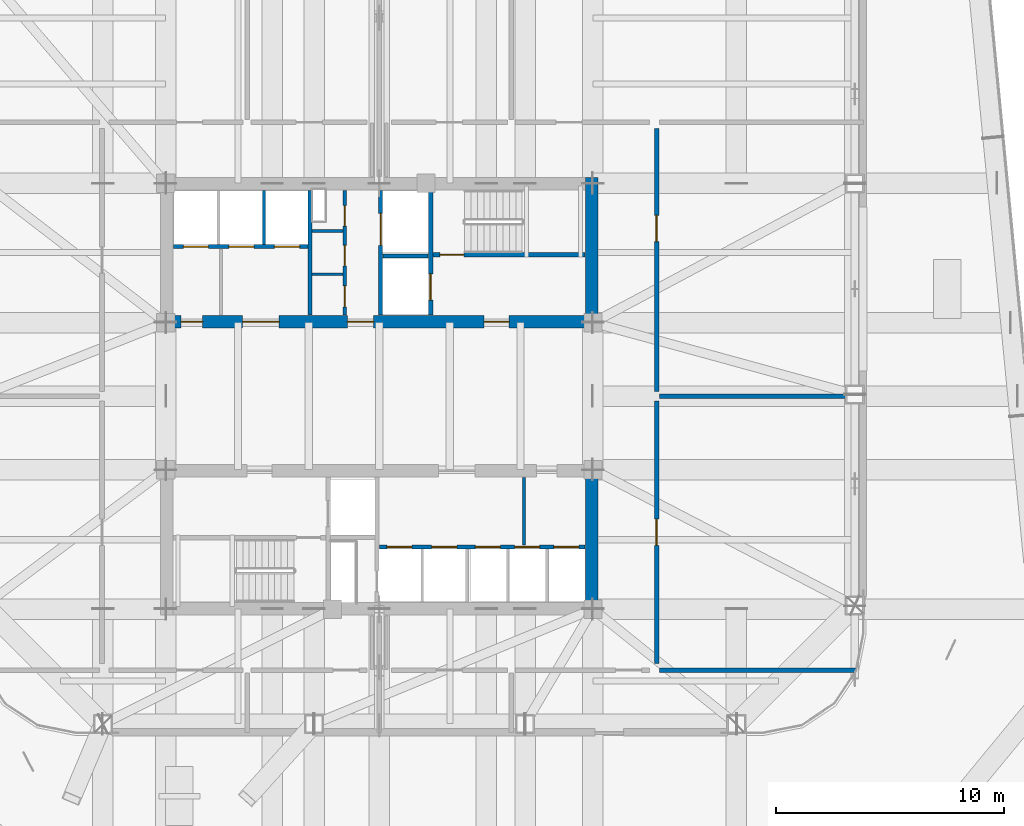
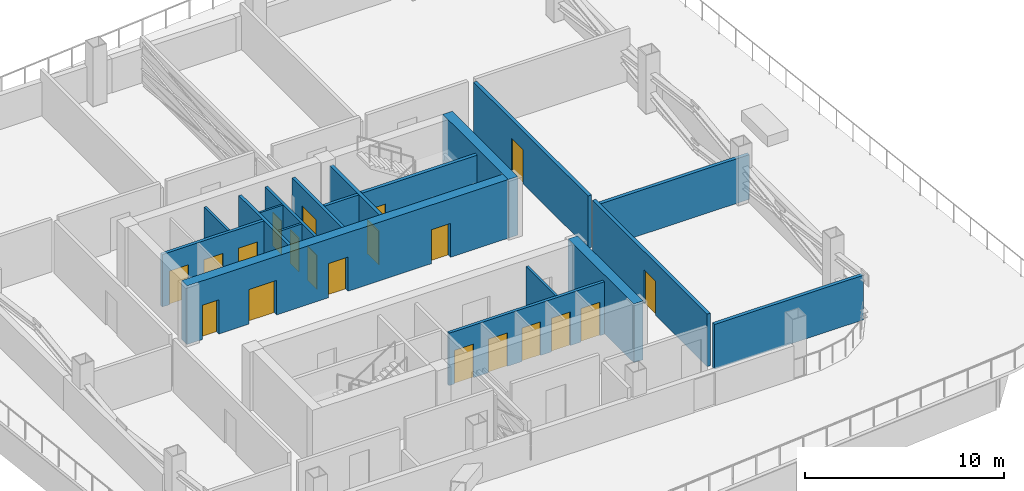
# One storey, part 9 of 15: 20 doors, 19 walls, 20 openings.
"""IFC4 building model written with IfcOpenShell, lengths in metres."""

from ifc_helpers import new_model, si_unit, direction, frame, frame_2d, origin, place, context, subcontext, project, spatial, rectangle, extrude, material, layer, layer_set, type_object, element, fill, save


model = new_model("IFC4")

# Units and contexts
model_context = context("Model", 3, precision=1e-05, world=origin(), true_north=direction((0.0, 1.0)))
body_context = subcontext(model_context, "Body", "Model", "MODEL_VIEW")
ifc_project = project(units=[si_unit("LENGTHUNIT", "METRE"), si_unit("AREAUNIT", "SQUARE_METRE"), si_unit("VOLUMEUNIT", "CUBIC_METRE"), si_unit("PLANEANGLEUNIT", "RADIAN"), si_unit("MASSUNIT", "GRAM", prefix="KILO")], contexts=[model_context])

# Site, building, storey
site_placement = place(None, origin())
site = spatial("IfcSite", under=ifc_project, at=site_placement, CompositionType="ELEMENT")
building_placement = place(site_placement, origin())
building = spatial("IfcBuilding", under=site, at=building_placement, Name="Qhalaya Broadcast Tower", CompositionType="ELEMENT")
storey_placement = place(building_placement, frame((0.0, 0.0, 101.25)))
storey = spatial("IfcBuildingStorey", under=building, at=storey_placement, Name="L29", CompositionType="ELEMENT", Elevation=101.25)

# Wall, openings, doors
ifc_material_1 = material(Name="Gypsum Acoustic Partition")
ifc_layer_1 = layer(ifc_material_1, 0.14990234375, Name="Gypsum Acoustic Partition")
ifc_layer_set_1 = layer_set([ifc_layer_1], Name="Gypsum Acoustic Partition")
wall_type_1 = type_object("IfcWallType", Name="Corridor & Tenancy Acoustic Partition 150", PredefinedType="PARTITIONING", material=ifc_layer_set_1)
wall_1_placement = place(storey_placement, frame((-1.52001953125, 4.169921875, 0.0), z_axis=(0.0, 0.0, 1.0), x_axis=(0.0, 1.0, 0.0)))
wall_1 = element("IfcWall", 1, at=wall_1_placement, inside=storey, type_object=wall_type_1, Name="L29 Partition Wall NCW-SVL", PredefinedType="PARTITIONING", context=body_context, shape_type="SweptSolid", body=[
    extrude(rectangle(XDim=5.4599609375, YDim=0.14990234375, at=frame_2d((2.72998046875, 0.0))), origin(), (0.0, 0.0, 1.0), 3.219970703125),
])
opening_1_placement = place(wall_1_placement, frame((3.89990234375, 0.0, 0.0)))
opening_1 = element("IfcOpeningElement", 2, at=opening_1_placement, cuts=wall_1, Name="Opening D06", PredefinedType="OPENING", context=body_context, shape_type="SweptSolid", body=[
    extrude(rectangle(XDim=0.89990234375, YDim=2.050048828125, at=frame_2d((0.449951171875, 1.02490234375))), frame((0.0, 0.0869140625, 0.0), z_axis=(0.0, -1.0, 0.0), x_axis=(1.0, 0.0, 0.0)), (0.0, 0.0, 1.0), 0.173828125),
])
opening_2_placement = place(wall_1_placement, frame((2.14990234375, 0.0, 0.0)))
opening_2 = element("IfcOpeningElement", 3, at=opening_2_placement, cuts=wall_1, Name="Opening D06", PredefinedType="OPENING", context=body_context, shape_type="SweptSolid", body=[
    extrude(rectangle(XDim=0.89990234375, YDim=2.050048828125, at=frame_2d((0.449951171875, 1.02490234375))), frame((0.0, 0.0869140625, 0.0), z_axis=(0.0, -1.0, 0.0), x_axis=(1.0, 0.0, 0.0)), (0.0, 0.0, 1.0), 0.173828125),
])
opening_3_placement = place(wall_1_placement, frame((0.35009765625, 0.0, 0.0)))
opening_3 = element("IfcOpeningElement", 4, at=opening_3_placement, cuts=wall_1, Name="Opening D12", PredefinedType="OPENING", context=body_context, shape_type="SweptSolid", body=[
    extrude(rectangle(XDim=0.919921875, YDim=2.10009765625, at=frame_2d((0.4599609375, 1.050048828125))), frame((0.0, 0.0869140625, 0.0), z_axis=(0.0, -1.0, 0.0), x_axis=(1.0, 0.0, 0.0)), (0.0, 0.0, 1.0), 0.173828125),
])
ifc_material_2 = material(Name="Timber Veneer Acoustic Door", Category="wood")
door_type_1 = type_object("IfcDoorType", Name="Accessible WC & Restroom Door D12", OperationType="NOTDEFINED", PredefinedType="DOOR", material=ifc_material_2)
door_1_placement = place(opening_3_placement, origin())
door_1 = element("IfcDoor", 5, at=door_1_placement, inside=storey, type_object=door_type_1, Name="L29 Door D-NCWC", OperationType="SINGLE_SWING_RIGHT", OverallHeight=2.10009765625, OverallWidth=0.919921875, PredefinedType="DOOR", context=body_context, shape_type="SweptSolid", body=[
    extrude(rectangle(XDim=0.919921875, YDim=2.10009765625, at=frame_2d((0.4599609375, 1.050048828125))), frame((0.0, 0.02490234375, 0.0), z_axis=(0.0, -1.0, 0.0), x_axis=(1.0, 0.0, 0.0)), (0.0, 0.0, 1.0), 0.050048828125),
])
fill(opening_3, door_1)
ifc_material_3 = material(Name="Fire-Rated Steel Door", Category="steel")
door_type_2 = type_object("IfcDoorType", Name="Riser & Electrical Shaft Access Door D06", OperationType="NOTDEFINED", PredefinedType="DOOR", material=ifc_material_3)
door_2_placement = place(opening_1_placement, origin())
door_2 = element("IfcDoor", 6, at=door_2_placement, inside=storey, type_object=door_type_2, Name="L29 Riser Shaft Access Door D-NRSR", OperationType="SINGLE_SWING_RIGHT", OverallHeight=2.050048828125, OverallWidth=0.89990234375, PredefinedType="DOOR", context=body_context, shape_type="SweptSolid", body=[
    extrude(rectangle(XDim=0.89990234375, YDim=2.050048828125, at=frame_2d((0.449951171875, 1.02490234375))), frame((0.0, 0.02490234375, 0.0), z_axis=(0.0, -1.0, 0.0), x_axis=(1.0, 0.0, 0.0)), (0.0, 0.0, 1.0), 0.050048828125),
])
fill(opening_1, door_2)
door_3_placement = place(opening_2_placement, origin())
door_3 = element("IfcDoor", 7, at=door_3_placement, inside=storey, type_object=door_type_2, Name="L29 Door D-NITR", OperationType="SINGLE_SWING_LEFT", OverallHeight=2.050048828125, OverallWidth=0.89990234375, PredefinedType="DOOR", context=body_context, shape_type="SweptSolid", body=[
    extrude(rectangle(XDim=0.89990234375, YDim=2.050048828125, at=frame_2d((0.449951171875, 1.02490234375))), frame((0.0, 0.02490234375, 0.0), z_axis=(0.0, -1.0, 0.0), x_axis=(1.0, 0.0, 0.0)), (0.0, 0.0, 1.0), 0.050048828125),
])
fill(opening_2, door_3)

# Walls
ifc_layer_2 = layer(ifc_material_1, 0.199951171875, Name="Gypsum Acoustic Partition")
ifc_layer_set_2 = layer_set([ifc_layer_2], Name="Gypsum Acoustic Partition")
wall_type_2 = type_object("IfcWallType", Name="Firefighting Lobby & Stair Enclosure Wall 200", PredefinedType="PARTITIONING", material=ifc_layer_set_2)
wall_2_placement = place(storey_placement, frame((12.2900390625, -11.419921875, 0.0), z_axis=(0.0, 0.0, 1.0), x_axis=(1.0, 0.0, 0.0)))
element("IfcWall", 8, at=wall_2_placement, inside=storey, type_object=wall_type_2, Name="L29 Partition Wall W-PBSE", PredefinedType="PARTITIONING", context=body_context, shape_type="SweptSolid", body=[
    extrude(rectangle(XDim=8.633544921875, YDim=0.199951171875, at=frame_2d((4.31689453125, 0.0))), origin(), (0.0, 0.0, 1.0), 2.740966796875),
])
wall_3_placement = place(storey_placement, frame((12.2900390625, 0.60009765625, 0.0), z_axis=(0.0, 0.0, 1.0), x_axis=(1.0, 0.0, 0.0)))
element("IfcWall", 9, at=wall_3_placement, inside=storey, type_object=wall_type_2, Name="L29 Partition Wall W-PDE1", PredefinedType="PARTITIONING", context=body_context, shape_type="SweptSolid", body=[
    extrude(rectangle(XDim=8.9599609375, YDim=0.199951171875, at=frame_2d((4.47998046875, 0.0))), origin(), (0.0, 0.0, 1.0), 2.740966796875),
])

# Wall, opening, door
wall_4_placement = place(storey_placement, frame((12.169921875, -11.139892578125, 0.0), z_axis=(0.0, 0.0, 1.0), x_axis=(0.0, 1.0, 0.0)))
wall_4 = element("IfcWall", 10, at=wall_4_placement, inside=storey, type_object=wall_type_2, Name="L29 Partition Wall W-PCE1", PredefinedType="PARTITIONING", context=body_context, shape_type="SweptSolid", body=[
    extrude(rectangle(XDim=11.52978515625, YDim=0.199951171875, at=frame_2d((5.764892578125, 0.0))), origin(), (0.0, 0.0, 1.0), 3.219970703125),
])
opening_4_placement = place(wall_4_placement, frame((5.18994140625, 0.0, 0.0)))
opening_4 = element("IfcOpeningElement", 11, at=opening_4_placement, cuts=wall_4, Name="Opening D05", PredefinedType="OPENING", context=body_context, shape_type="SweptSolid", body=[
    extrude(rectangle(XDim=1.14990234375, YDim=2.10009765625, at=frame_2d((0.574951171875, 1.050048828125))), frame((0.0, 0.112060546875, 0.0), z_axis=(0.0, -1.0, 0.0), x_axis=(1.0, 0.0, 0.0)), (0.0, 0.0, 1.0), 0.223876953125),
])
door_type_3 = type_object("IfcDoorType", Name="Refuge & Plant Room Fire Door D05", OperationType="NOTDEFINED", PredefinedType="DOOR", material=ifc_material_3)
door_4_placement = place(opening_4_placement, origin())
door_4 = element("IfcDoor", 12, at=door_4_placement, inside=storey, type_object=door_type_3, Name="L29 Door D-PCE1", OperationType="SINGLE_SWING_RIGHT", OverallHeight=2.10009765625, OverallWidth=1.14990234375, PredefinedType="DOOR", context=body_context, shape_type="SweptSolid", body=[
    extrude(rectangle(XDim=1.14990234375, YDim=2.10009765625, at=frame_2d((0.574951171875, 1.050048828125))), frame((0.0, 0.02490234375, 0.0), z_axis=(0.0, -1.0, 0.0), x_axis=(1.0, 0.0, 0.0)), (0.0, 0.0, 1.0), 0.050048828125),
])
fill(opening_4, door_4)

wall_5_placement = place(storey_placement, frame((12.169921875, 0.81005859375, 0.0), z_axis=(0.0, 0.0, 1.0), x_axis=(0.0, 1.0, 0.0)))
wall_5 = element("IfcWall", 13, at=wall_5_placement, inside=storey, type_object=wall_type_2, Name="L29 Partition Wall W-PCE2", PredefinedType="PARTITIONING", context=body_context, shape_type="SweptSolid", body=[
    extrude(rectangle(XDim=11.530029296875, YDim=0.199951171875, at=frame_2d((5.76513671875, 0.0))), origin(), (0.0, 0.0, 1.0), 3.219970703125),
])
opening_5_placement = place(wall_5_placement, frame((6.573974609375, 0.0, 0.0)))
opening_5 = element("IfcOpeningElement", 14, at=opening_5_placement, cuts=wall_5, Name="Opening D05", PredefinedType="OPENING", context=body_context, shape_type="SweptSolid", body=[
    extrude(rectangle(XDim=1.14990234375, YDim=2.10009765625, at=frame_2d((0.574951171875, 1.050048828125))), frame((0.0, 0.112060546875, 0.0), z_axis=(0.0, -1.0, 0.0), x_axis=(1.0, 0.0, 0.0)), (0.0, 0.0, 1.0), 0.223876953125),
])
door_5_placement = place(opening_5_placement, origin())
door_5 = element("IfcDoor", 15, at=door_5_placement, inside=storey, type_object=door_type_3, Name="L29 Door D-PCE2", OperationType="SINGLE_SWING_LEFT", OverallHeight=2.10009765625, OverallWidth=1.14990234375, PredefinedType="DOOR", context=body_context, shape_type="SweptSolid", body=[
    extrude(rectangle(XDim=1.14990234375, YDim=2.10009765625, at=frame_2d((0.574951171875, 1.050048828125))), frame((0.0, 0.02490234375, 0.0), z_axis=(0.0, -1.0, 0.0), x_axis=(1.0, 0.0, 0.0)), (0.0, 0.0, 1.0), 0.050048828125),
])
fill(opening_5, door_5)

ifc_material_4 = material(Name="Concrete C50/60", Category="concrete")
ifc_layer_3 = layer(ifc_material_4, 0.199951171875, Name="Concrete C50/60")
ifc_layer_set_3 = layer_set([ifc_layer_3], Name="Concrete C50/60")
wall_type_3 = type_object("IfcWallType", Name="Load-Bearing Stair Shaft Wall 200", PredefinedType="SHEAR", material=ifc_layer_set_3)
wall_6_placement = place(storey_placement, frame((2.360107421875, 6.804931640625, 0.0), z_axis=(0.0, 0.0, 1.0), x_axis=(1.0, 0.0, 0.0)))
wall_6 = element("IfcWall", 16, at=wall_6_placement, inside=storey, type_object=wall_type_3, Name="L29 Stair Core Shear Wall NCW-ST1", PredefinedType="SHEAR", context=body_context, shape_type="SweptSolid", body=[
    extrude(rectangle(XDim=6.669921875, YDim=0.199951171875, at=frame_2d((3.3349609375, 0.0))), origin(), (0.0, 0.0, 1.0), 3.219970703125),
])
opening_6_placement = place(wall_6_placement, frame((0.300048828125, 0.0, 0.0)))
opening_6 = element("IfcOpeningElement", 17, at=opening_6_placement, cuts=wall_6, Name="Opening D03", PredefinedType="OPENING", context=body_context, shape_type="SweptSolid", body=[
    extrude(rectangle(XDim=1.050048828125, YDim=2.080078125, at=frame_2d((0.52490234375, 1.0400390625))), frame((0.0, 0.112060546875, 0.0), z_axis=(0.0, -1.0, 0.0), x_axis=(1.0, 0.0, 0.0)), (0.0, 0.0, 1.0), 0.223876953125),
])
door_type_4 = type_object("IfcDoorType", Name="Core Stair Protected Fire Door D03", OperationType="NOTDEFINED", PredefinedType="DOOR", material=ifc_material_3)
door_6_placement = place(opening_6_placement, origin())
door_6 = element("IfcDoor", 18, at=door_6_placement, inside=storey, type_object=door_type_4, Name="L29 Door D-NST1", OperationType="SINGLE_SWING_LEFT", OverallHeight=2.080078125, OverallWidth=1.050048828125, PredefinedType="DOOR", context=body_context, shape_type="SweptSolid", body=[
    extrude(rectangle(XDim=1.050048828125, YDim=2.080078125, at=frame_2d((0.52490234375, 1.0400390625))), frame((0.0, 0.02490234375, 0.0), z_axis=(0.0, -1.0, 0.0), x_axis=(1.0, 0.0, 0.0)), (0.0, 0.0, 1.0), 0.050048828125),
])
fill(opening_6, door_6)

wall_7_placement = place(storey_placement, frame((2.25, 4.169921875, 0.0), z_axis=(0.0, 0.0, 1.0), x_axis=(0.0, 1.0, 0.0)))
wall_7 = element("IfcWall", 19, at=wall_7_placement, inside=storey, type_object=wall_type_3, Name="L29 Stair Core Shear Wall NCW-FF", PredefinedType="SHEAR", context=body_context, shape_type="SweptSolid", body=[
    extrude(rectangle(XDim=5.4599609375, YDim=0.199951171875, at=frame_2d((2.72998046875, 0.0))), origin(), (0.0, 0.0, 1.0), 3.219970703125),
])
opening_7_placement = place(wall_7_placement, frame((0.64990234375, 0.0, 0.0)))
opening_7 = element("IfcOpeningElement", 20, at=opening_7_placement, cuts=wall_7, Name="Opening LD2", PredefinedType="OPENING", context=body_context, shape_type="SweptSolid", body=[
    extrude(rectangle(XDim=1.14990234375, YDim=2.080078125, at=frame_2d((0.574951171875, 1.0400390625))), frame((0.0, 0.112060546875, 0.0), z_axis=(0.0, -1.0, 0.0), x_axis=(1.0, 0.0, 0.0)), (0.0, 0.0, 1.0), 0.223876953125),
])
ifc_material_5 = material(Name="Brushed Stainless Steel Lift Door", Category="steel")
door_type_5 = type_object("IfcDoorType", Name="Firefighting Lift Sliding Landing Door LD2", OperationType="DOUBLE_DOOR_SLIDING", PredefinedType="DOOR", material=ifc_material_5)
door_7_placement = place(opening_7_placement, origin())
door_7 = element("IfcDoor", 21, at=door_7_placement, inside=storey, type_object=door_type_5, Name="L29 Door LD-FF1", OperationType="DOUBLE_DOOR_SLIDING", OverallHeight=2.080078125, OverallWidth=1.14990234375, PredefinedType="DOOR", context=body_context, shape_type="SweptSolid", body=[
    extrude(rectangle(XDim=1.14990234375, YDim=2.080078125, at=frame_2d((0.574951171875, 1.0400390625))), frame((0.0, 0.02490234375, 0.0), z_axis=(0.0, -1.0, 0.0), x_axis=(1.0, 0.0, 0.0)), (0.0, 0.0, 1.0), 0.050048828125),
])
fill(opening_7, door_7)

# Wall, openings, doors
ifc_material_6 = material(Name="Concrete C60/75", Category="concrete")
ifc_layer_4 = layer(ifc_material_6, 0.550048828125, Name="Concrete C60/75")
ifc_layer_set_4 = layer_set([ifc_layer_4], Name="Concrete C60/75")
wall_type_4 = type_object("IfcWallType", Name="Lower Split-Core Shear Wall 550", PredefinedType="SHEAR", material=ifc_layer_set_4)
wall_8_placement = place(storey_placement, frame((-9.60009765625, 3.875, 0.0), z_axis=(0.0, 0.0, 1.0), x_axis=(1.0, 0.0, 0.0)))
wall_8 = element("IfcWall", 22, at=wall_8_placement, inside=storey, type_object=wall_type_4, Name="L29 Split-Core Shear Wall CW-NS", PredefinedType="SHEAR", context=body_context, shape_type="SweptSolid", body=[
    extrude(rectangle(XDim=19.2001953125, YDim=0.550048828125, at=frame_2d((9.60009765625, 0.0))), origin(), (0.0, 0.0, 1.0), 3.60009765625),
])
opening_8_placement = place(wall_8_placement, frame((14.199951171875, 0.0, 0.0)))
opening_8 = element("IfcOpeningElement", 23, at=opening_8_placement, cuts=wall_8, Name="Opening D04", PredefinedType="OPENING", context=body_context, shape_type="SweptSolid", body=[
    extrude(rectangle(XDim=1.10009765625, YDim=2.080078125, at=frame_2d((0.550048828125, 1.0400390625))), frame((0.0, 0.287109375, 0.0), z_axis=(0.0, -1.0, 0.0), x_axis=(1.0, 0.0, 0.0)), (0.0, 0.0, 1.0), 0.573974609375),
])
opening_9_placement = place(wall_8_placement, frame((8.199951171875, 0.0, 0.0)))
opening_9 = element("IfcOpeningElement", 24, at=opening_9_placement, cuts=wall_8, Name="Opening D05", PredefinedType="OPENING", context=body_context, shape_type="SweptSolid", body=[
    extrude(rectangle(XDim=1.14990234375, YDim=2.10009765625, at=frame_2d((0.574951171875, 1.050048828125))), frame((0.0, 0.287109375, 0.0), z_axis=(0.0, -1.0, 0.0), x_axis=(1.0, 0.0, 0.0)), (0.0, 0.0, 1.0), 0.573974609375),
])
opening_10_placement = place(wall_8_placement, frame((0.89990234375, 0.0, 0.0)))
opening_10 = element("IfcOpeningElement", 25, at=opening_10_placement, cuts=wall_8, Name="Opening D10", PredefinedType="OPENING", context=body_context, shape_type="SweptSolid", body=[
    extrude(rectangle(XDim=0.949951171875, YDim=2.10009765625, at=frame_2d((0.47509765625, 1.050048828125))), frame((0.0, 0.287109375, 0.0), z_axis=(0.0, -1.0, 0.0), x_axis=(1.0, 0.0, 0.0)), (0.0, 0.0, 1.0), 0.573974609375),
])
opening_11_placement = place(wall_8_placement, frame((3.60009765625, 0.0, 0.0)))
opening_11 = element("IfcOpeningElement", 26, at=opening_11_placement, cuts=wall_8, Name="Opening D07", PredefinedType="OPENING", context=body_context, shape_type="SweptSolid", body=[
    extrude(rectangle(XDim=1.60009765625, YDim=2.1201171875, at=frame_2d((0.800048828125, 1.06005859375))), frame((0.0, 0.287109375, 0.0), z_axis=(0.0, -1.0, 0.0), x_axis=(1.0, 0.0, 0.0)), (0.0, 0.0, 1.0), 0.573974609375),
])
door_type_6 = type_object("IfcDoorType", Name="Cellular Office & Edit Booth Door D10", OperationType="NOTDEFINED", PredefinedType="DOOR", material=ifc_material_2)
door_8_placement = place(opening_10_placement, origin())
door_8 = element("IfcDoor", 27, at=door_8_placement, inside=storey, type_object=door_type_6, Name="L29 Door D-NLPNT", OperationType="SINGLE_SWING_RIGHT", OverallHeight=2.10009765625, OverallWidth=0.949951171875, PredefinedType="DOOR", context=body_context, shape_type="SweptSolid", body=[
    extrude(rectangle(XDim=0.949951171875, YDim=2.10009765625, at=frame_2d((0.47509765625, 1.050048828125))), frame((0.0, 0.02490234375, 0.0), z_axis=(0.0, -1.0, 0.0), x_axis=(1.0, 0.0, 0.0)), (0.0, 0.0, 1.0), 0.050048828125),
])
fill(opening_10, door_8)
door_type_7 = type_object("IfcDoorType", Name="Firefighting Lobby Rated Door D04", OperationType="NOTDEFINED", PredefinedType="DOOR", material=ifc_material_3)
door_9_placement = place(opening_8_placement, origin())
door_9 = element("IfcDoor", 28, at=door_9_placement, inside=storey, type_object=door_type_7, Name="L29 Door D-NFF", OperationType="SINGLE_SWING_RIGHT", OverallHeight=2.080078125, OverallWidth=1.10009765625, PredefinedType="DOOR", context=body_context, shape_type="SweptSolid", body=[
    extrude(rectangle(XDim=1.10009765625, YDim=2.080078125, at=frame_2d((0.550048828125, 1.0400390625))), frame((0.0, 0.02490234375, 0.0), z_axis=(0.0, -1.0, 0.0), x_axis=(1.0, 0.0, 0.0)), (0.0, 0.0, 1.0), 0.050048828125),
])
fill(opening_8, door_9)
ifc_material_7 = material(Name="Anodised Aluminium Glazed Door", Category="aluminium")
door_type_8 = type_object("IfcDoorType", Name="Passenger Lift Lobby Double Glazed Door D07", OperationType="DOUBLE_DOOR_SINGLE_SWING", PredefinedType="DOOR", material=ifc_material_7)
door_10_placement = place(opening_11_placement, origin())
door_10 = element("IfcDoor", 29, at=door_10_placement, inside=storey, type_object=door_type_8, Name="L29 Door D-NPLL", OperationType="DOUBLE_DOOR_SINGLE_SWING", OverallHeight=2.1201171875, OverallWidth=1.60009765625, PredefinedType="DOOR", context=body_context, shape_type="SweptSolid", body=[
    extrude(rectangle(XDim=1.60009765625, YDim=2.1201171875, at=frame_2d((0.800048828125, 1.06005859375))), frame((0.0, 0.02490234375, 0.0), z_axis=(0.0, -1.0, 0.0), x_axis=(1.0, 0.0, 0.0)), (0.0, 0.0, 1.0), 0.050048828125),
])
fill(opening_11, door_10)
door_11_placement = place(opening_9_placement, origin())
door_11 = element("IfcDoor", 30, at=door_11_placement, inside=storey, type_object=door_type_3, Name="L29 Door D-NSVL", OperationType="SINGLE_SWING_LEFT", OverallHeight=2.10009765625, OverallWidth=1.14990234375, PredefinedType="DOOR", context=body_context, shape_type="SweptSolid", body=[
    extrude(rectangle(XDim=1.14990234375, YDim=2.10009765625, at=frame_2d((0.574951171875, 1.050048828125))), frame((0.0, 0.02490234375, 0.0), z_axis=(0.0, -1.0, 0.0), x_axis=(1.0, 0.0, 0.0)), (0.0, 0.0, 1.0), 0.050048828125),
])
fill(opening_9, door_11)

# Walls
wall_9_placement = place(storey_placement, frame((9.324951171875, 3.60009765625, 0.0), z_axis=(0.0, 0.0, 1.0), x_axis=(0.0, 1.0, 0.0)))
element("IfcWall", 31, at=wall_9_placement, inside=storey, type_object=wall_type_4, Name="L29 Split-Core Shear Wall CW-NE", PredefinedType="SHEAR", context=body_context, shape_type="SweptSolid", body=[
    extrude(rectangle(XDim=6.599853515625, YDim=0.550048828125, at=frame_2d((3.2998046875, 0.0))), origin(), (0.0, 0.0, 1.0), 3.60009765625),
])
wall_10_placement = place(storey_placement, frame((9.324951171875, -9.0, 0.0), z_axis=(0.0, 0.0, 1.0), x_axis=(0.0, 1.0, 0.0)))
element("IfcWall", 32, at=wall_10_placement, inside=storey, type_object=wall_type_4, Name="L29 Split-Core Shear Wall CW-SE", PredefinedType="SHEAR", context=body_context, shape_type="SweptSolid", body=[
    extrude(rectangle(XDim=6.60009765625, YDim=0.550048828125, at=frame_2d((3.300048828125, 0.0))), origin(), (0.0, 0.0, 1.0), 3.60009765625),
])
ifc_layer_5 = layer(ifc_material_1, 0.1201171875, Name="Gypsum Acoustic Partition")
ifc_layer_set_5 = layer_set([ifc_layer_5], Name="Gypsum Acoustic Partition")
wall_type_5 = type_object("IfcWallType", Name="Office, Booth & Sanitary Partition 120", PredefinedType="PARTITIONING", material=ifc_layer_set_5)
for number, where, z_axis, x_axis, name in (
    (33, (-2.9599609375, 5.949951171875, 0.0), (0.0, 0.0, 1.0), (1.0, 0.0, 0.0), "L29 Partition Wall NCW-VB1"),
    (34, (-2.9599609375, 7.85009765625, 0.0), (0.0, 0.0, 1.0), (1.0, 0.0, 0.0), "L29 Partition Wall NCW-VB2"),
):
    element("IfcWall", number, at=place(storey_placement, frame(where, z_axis=z_axis, x_axis=x_axis)), inside=storey, type_object=wall_type_5, Name=name, PredefinedType="PARTITIONING", context=body_context, shape_type="SweptSolid", body=[
        extrude(rectangle(XDim=1.35986328125, YDim=0.1201171875, at=frame_2d((0.679931640625, 0.0))), origin(), (0.0, 0.0, 1.0), 3.219970703125),
    ])
wall_11_placement = place(storey_placement, frame((-5.06005859375, 7.25, 0.0), z_axis=(0.0, 0.0, 1.0), x_axis=(0.0, 1.0, 0.0)))
element("IfcWall", 35, at=wall_11_placement, inside=storey, type_object=wall_type_5, Name="L29 Partition Wall NCW-PD2", PredefinedType="PARTITIONING", context=body_context, shape_type="SweptSolid", body=[
    extrude(rectangle(XDim=2.3798828125, YDim=0.1201171875, at=frame_2d((1.18994140625, 0.0))), origin(), (0.0, 0.0, 1.0), 3.219970703125),
])
wall_12_placement = place(storey_placement, frame((6.35009765625, -5.93994140625, 0.0), z_axis=(0.0, 0.0, 1.0), x_axis=(0.0, 1.0, 0.0)))
element("IfcWall", 36, at=wall_12_placement, inside=storey, type_object=wall_type_5, Name="L29 Partition Wall SCW-LKB", PredefinedType="PARTITIONING", context=body_context, shape_type="SweptSolid", body=[
    extrude(rectangle(XDim=2.969970703125, YDim=0.1201171875, at=frame_2d((1.48486328125, 0.0))), origin(), (0.0, 0.0, 1.0), 3.219970703125),
])

# Wall, opening, door
ifc_layer_6 = layer(ifc_material_1, 0.175048828125, Name="Gypsum Acoustic Partition")
ifc_layer_set_6 = layer_set([ifc_layer_6], Name="Gypsum Acoustic Partition")
wall_type_6 = type_object("IfcWallType", Name="Shaft & Riser Fire Partition 175", PredefinedType="PARTITIONING", material=ifc_layer_set_6)
wall_13_placement = place(storey_placement, frame((0.06005859375, 4.169921875, 0.0), z_axis=(0.0, 0.0, 1.0), x_axis=(0.0, 1.0, 0.0)))
wall_13 = element("IfcWall", 37, at=wall_13_placement, inside=storey, type_object=wall_type_6, Name="L29 Partition Wall NCW-SVW", PredefinedType="PARTITIONING", context=body_context, shape_type="SweptSolid", body=[
    extrude(rectangle(XDim=5.4599609375, YDim=0.175048828125, at=frame_2d((2.72998046875, 0.0))), origin(), (0.0, 0.0, 1.0), 3.219970703125),
])
opening_12_placement = place(wall_13_placement, frame((3.050048828125, 0.0, 0.0)))
opening_12 = element("IfcOpeningElement", 38, at=opening_12_placement, cuts=wall_13, Name="Opening LD3", PredefinedType="OPENING", context=body_context, shape_type="SweptSolid", body=[
    extrude(rectangle(XDim=1.39990234375, YDim=2.1201171875, at=frame_2d((0.699951171875, 1.06005859375))), frame((0.0, 0.099609375, 0.0), z_axis=(0.0, -1.0, 0.0), x_axis=(1.0, 0.0, 0.0)), (0.0, 0.0, 1.0), 0.198974609375),
])
door_type_9 = type_object("IfcDoorType", Name="Service Lift Wide Sliding Landing Door LD3", OperationType="DOUBLE_DOOR_SLIDING", PredefinedType="DOOR", material=ifc_material_5)
door_12_placement = place(opening_12_placement, origin())
door_12 = element("IfcDoor", 39, at=door_12_placement, inside=storey, type_object=door_type_9, Name="L29 Door LD-SV1", OperationType="DOUBLE_DOOR_SLIDING", OverallHeight=2.1201171875, OverallWidth=1.39990234375, PredefinedType="DOOR", context=body_context, shape_type="SweptSolid", body=[
    extrude(rectangle(XDim=1.39990234375, YDim=2.1201171875, at=frame_2d((0.699951171875, 1.06005859375))), frame((0.0, 0.02490234375, 0.0), z_axis=(0.0, -1.0, 0.0), x_axis=(1.0, 0.0, 0.0)), (0.0, 0.0, 1.0), 0.050048828125),
])
fill(opening_12, door_12)

# Walls
wall_14_placement = place(storey_placement, frame((0.159912109375, 6.75, 0.0), z_axis=(0.0, 0.0, 1.0), x_axis=(1.0, 0.0, 0.0)))
element("IfcWall", 40, at=wall_14_placement, inside=storey, type_object=wall_type_6, Name="L29 Partition Wall NCW-SVM", PredefinedType="PARTITIONING", context=body_context, shape_type="SweptSolid", body=[
    extrude(rectangle(XDim=1.97998046875, YDim=0.175048828125, at=frame_2d((0.989990234375, 0.0))), origin(), (0.0, 0.0, 1.0), 3.219970703125),
])
wall_15_placement = place(storey_placement, frame((-3.0400390625, 4.169921875, 0.0), z_axis=(0.0, 0.0, 1.0), x_axis=(0.0, 1.0, 0.0)))
element("IfcWall", 41, at=wall_15_placement, inside=storey, type_object=wall_type_6, Name="L29 Partition Wall NCW-VRW", PredefinedType="PARTITIONING", context=body_context, shape_type="SweptSolid", body=[
    extrude(rectangle(XDim=5.4599609375, YDim=0.175048828125, at=frame_2d((2.72998046875, 0.0))), origin(), (0.0, 0.0, 1.0), 3.219970703125),
])

# Wall, openings, doors
wall_16_placement = place(storey_placement, frame((-9.030029296875, 7.159912109375, 0.0), z_axis=(0.0, 0.0, 1.0), x_axis=(1.0, 0.0, 0.0)))
wall_16 = element("IfcWall", 42, at=wall_16_placement, inside=storey, type_object=wall_type_6, Name="L29 Partition Wall NCW-PLB", PredefinedType="PARTITIONING", context=body_context, shape_type="SweptSolid", body=[
    extrude(rectangle(XDim=5.909912109375, YDim=0.175048828125, at=frame_2d((2.955078125, 0.0))), origin(), (0.0, 0.0, 1.0), 3.219970703125),
])
opening_13_placement = place(wall_16_placement, frame((0.429931640625, 0.0, 0.0)))
opening_13 = element("IfcOpeningElement", 43, at=opening_13_placement, cuts=wall_16, Name="Opening LD1", PredefinedType="OPENING", context=body_context, shape_type="SweptSolid", body=[
    extrude(rectangle(XDim=1.10009765625, YDim=2.06005859375, at=frame_2d((0.550048828125, 1.030029296875))), frame((0.0, 0.099609375, 0.0), z_axis=(0.0, -1.0, 0.0), x_axis=(1.0, 0.0, 0.0)), (0.0, 0.0, 1.0), 0.198974609375),
])
opening_14_placement = place(wall_16_placement, frame((2.429931640625, 0.0, 0.0)))
opening_14 = element("IfcOpeningElement", 44, at=opening_14_placement, cuts=wall_16, Name="Opening LD1", PredefinedType="OPENING", context=body_context, shape_type="SweptSolid", body=[
    extrude(rectangle(XDim=1.10009765625, YDim=2.06005859375, at=frame_2d((0.550048828125, 1.030029296875))), frame((0.0, 0.099609375, 0.0), z_axis=(0.0, -1.0, 0.0), x_axis=(1.0, 0.0, 0.0)), (0.0, 0.0, 1.0), 0.198974609375),
])
opening_15_placement = place(wall_16_placement, frame((4.429931640625, 0.0, 0.0)))
opening_15 = element("IfcOpeningElement", 45, at=opening_15_placement, cuts=wall_16, Name="Opening LD1", PredefinedType="OPENING", context=body_context, shape_type="SweptSolid", body=[
    extrude(rectangle(XDim=1.10009765625, YDim=2.06005859375, at=frame_2d((0.550048828125, 1.030029296875))), frame((0.0, 0.099609375, 0.0), z_axis=(0.0, -1.0, 0.0), x_axis=(1.0, 0.0, 0.0)), (0.0, 0.0, 1.0), 0.198974609375),
])
door_type_10 = type_object("IfcDoorType", Name="Passenger Lift Sliding Landing Door LD1", OperationType="DOUBLE_DOOR_SLIDING", PredefinedType="DOOR", material=ifc_material_5)
door_13_placement = place(opening_13_placement, origin())
door_13 = element("IfcDoor", 46, at=door_13_placement, inside=storey, type_object=door_type_10, Name="L29 Door LD-P1", OperationType="DOUBLE_DOOR_SLIDING", OverallHeight=2.06005859375, OverallWidth=1.10009765625, PredefinedType="DOOR", context=body_context, shape_type="SweptSolid", body=[
    extrude(rectangle(XDim=1.10009765625, YDim=2.06005859375, at=frame_2d((0.550048828125, 1.030029296875))), frame((0.0, 0.02490234375, 0.0), z_axis=(0.0, -1.0, 0.0), x_axis=(1.0, 0.0, 0.0)), (0.0, 0.0, 1.0), 0.050048828125),
])
fill(opening_13, door_13)
door_14_placement = place(opening_14_placement, origin())
door_14 = element("IfcDoor", 47, at=door_14_placement, inside=storey, type_object=door_type_10, Name="L29 Door LD-P2", OperationType="DOUBLE_DOOR_SLIDING", OverallHeight=2.06005859375, OverallWidth=1.10009765625, PredefinedType="DOOR", context=body_context, shape_type="SweptSolid", body=[
    extrude(rectangle(XDim=1.10009765625, YDim=2.06005859375, at=frame_2d((0.550048828125, 1.030029296875))), frame((0.0, 0.02490234375, 0.0), z_axis=(0.0, -1.0, 0.0), x_axis=(1.0, 0.0, 0.0)), (0.0, 0.0, 1.0), 0.050048828125),
])
fill(opening_14, door_14)
door_15_placement = place(opening_15_placement, origin())
door_15 = element("IfcDoor", 48, at=door_15_placement, inside=storey, type_object=door_type_10, Name="L29 Door LD-P3", OperationType="DOUBLE_DOOR_SLIDING", OverallHeight=2.06005859375, OverallWidth=1.10009765625, PredefinedType="DOOR", context=body_context, shape_type="SweptSolid", body=[
    extrude(rectangle(XDim=1.10009765625, YDim=2.06005859375, at=frame_2d((0.550048828125, 1.030029296875))), frame((0.0, 0.02490234375, 0.0), z_axis=(0.0, -1.0, 0.0), x_axis=(1.0, 0.0, 0.0)), (0.0, 0.0, 1.0), 0.050048828125),
])
fill(opening_15, door_15)

wall_17_placement = place(storey_placement, frame((0.0, -6.02001953125, 0.0), z_axis=(0.0, 0.0, 1.0), x_axis=(1.0, 0.0, 0.0)))
wall_17 = element("IfcWall", 49, at=wall_17_placement, inside=storey, type_object=wall_type_6, Name="L29 Partition Wall SCW-SLB", PredefinedType="PARTITIONING", context=body_context, shape_type="SweptSolid", body=[
    extrude(rectangle(XDim=9.030029296875, YDim=0.175048828125, at=frame_2d((4.51513671875, 0.0))), origin(), (0.0, 0.0, 1.0), 3.219970703125),
])
opening_16_placement = place(wall_17_placement, frame((0.330078125, 0.0, 0.0)))
opening_16 = element("IfcOpeningElement", 50, at=opening_16_placement, cuts=wall_17, Name="Opening LD1", PredefinedType="OPENING", context=body_context, shape_type="SweptSolid", body=[
    extrude(rectangle(XDim=1.10009765625, YDim=2.06005859375, at=frame_2d((0.550048828125, 1.030029296875))), frame((0.0, 0.099609375, 0.0), z_axis=(0.0, -1.0, 0.0), x_axis=(1.0, 0.0, 0.0)), (0.0, 0.0, 1.0), 0.198974609375),
])
opening_17_placement = place(wall_17_placement, frame((2.300048828125, 0.0, 0.0)))
opening_17 = element("IfcOpeningElement", 51, at=opening_17_placement, cuts=wall_17, Name="Opening LD1", PredefinedType="OPENING", context=body_context, shape_type="SweptSolid", body=[
    extrude(rectangle(XDim=1.10009765625, YDim=2.06005859375, at=frame_2d((0.550048828125, 1.030029296875))), frame((0.0, 0.099609375, 0.0), z_axis=(0.0, -1.0, 0.0), x_axis=(1.0, 0.0, 0.0)), (0.0, 0.0, 1.0), 0.198974609375),
])
opening_18_placement = place(wall_17_placement, frame((4.219970703125, 0.0, 0.0)))
opening_18 = element("IfcOpeningElement", 52, at=opening_18_placement, cuts=wall_17, Name="Opening LD1", PredefinedType="OPENING", context=body_context, shape_type="SweptSolid", body=[
    extrude(rectangle(XDim=1.10009765625, YDim=2.06005859375, at=frame_2d((0.550048828125, 1.030029296875))), frame((0.0, 0.099609375, 0.0), z_axis=(0.0, -1.0, 0.0), x_axis=(1.0, 0.0, 0.0)), (0.0, 0.0, 1.0), 0.198974609375),
])
opening_19_placement = place(wall_17_placement, frame((5.93994140625, 0.0, 0.0)))
opening_19 = element("IfcOpeningElement", 53, at=opening_19_placement, cuts=wall_17, Name="Opening LD1", PredefinedType="OPENING", context=body_context, shape_type="SweptSolid", body=[
    extrude(rectangle(XDim=1.10009765625, YDim=2.06005859375, at=frame_2d((0.550048828125, 1.030029296875))), frame((0.0, 0.099609375, 0.0), z_axis=(0.0, -1.0, 0.0), x_axis=(1.0, 0.0, 0.0)), (0.0, 0.0, 1.0), 0.198974609375),
])
opening_20_placement = place(wall_17_placement, frame((7.659912109375, 0.0, 0.0)))
opening_20 = element("IfcOpeningElement", 54, at=opening_20_placement, cuts=wall_17, Name="Opening LD1", PredefinedType="OPENING", context=body_context, shape_type="SweptSolid", body=[
    extrude(rectangle(XDim=1.10009765625, YDim=2.06005859375, at=frame_2d((0.550048828125, 1.030029296875))), frame((0.0, 0.099609375, 0.0), z_axis=(0.0, -1.0, 0.0), x_axis=(1.0, 0.0, 0.0)), (0.0, 0.0, 1.0), 0.198974609375),
])
door_16_placement = place(opening_16_placement, origin())
door_16 = element("IfcDoor", 55, at=door_16_placement, inside=storey, type_object=door_type_10, Name="L29 Door LD-P4", OperationType="DOUBLE_DOOR_SLIDING", OverallHeight=2.06005859375, OverallWidth=1.10009765625, PredefinedType="DOOR", context=body_context, shape_type="SweptSolid", body=[
    extrude(rectangle(XDim=1.10009765625, YDim=2.06005859375, at=frame_2d((0.550048828125, 1.030029296875))), frame((0.0, 0.02490234375, 0.0), z_axis=(0.0, -1.0, 0.0), x_axis=(1.0, 0.0, 0.0)), (0.0, 0.0, 1.0), 0.050048828125),
])
fill(opening_16, door_16)
door_17_placement = place(opening_17_placement, origin())
door_17 = element("IfcDoor", 56, at=door_17_placement, inside=storey, type_object=door_type_10, Name="L29 Door LD-P5", OperationType="DOUBLE_DOOR_SLIDING", OverallHeight=2.06005859375, OverallWidth=1.10009765625, PredefinedType="DOOR", context=body_context, shape_type="SweptSolid", body=[
    extrude(rectangle(XDim=1.10009765625, YDim=2.06005859375, at=frame_2d((0.550048828125, 1.030029296875))), frame((0.0, 0.02490234375, 0.0), z_axis=(0.0, -1.0, 0.0), x_axis=(1.0, 0.0, 0.0)), (0.0, 0.0, 1.0), 0.050048828125),
])
fill(opening_17, door_17)
door_18_placement = place(opening_18_placement, origin())
door_18 = element("IfcDoor", 57, at=door_18_placement, inside=storey, type_object=door_type_10, Name="L29 Door LD-P6", OperationType="DOUBLE_DOOR_SLIDING", OverallHeight=2.06005859375, OverallWidth=1.10009765625, PredefinedType="DOOR", context=body_context, shape_type="SweptSolid", body=[
    extrude(rectangle(XDim=1.10009765625, YDim=2.06005859375, at=frame_2d((0.550048828125, 1.030029296875))), frame((0.0, 0.02490234375, 0.0), z_axis=(0.0, -1.0, 0.0), x_axis=(1.0, 0.0, 0.0)), (0.0, 0.0, 1.0), 0.050048828125),
])
fill(opening_18, door_18)
door_19_placement = place(opening_19_placement, origin())
door_19 = element("IfcDoor", 58, at=door_19_placement, inside=storey, type_object=door_type_10, Name="L29 Door LD-P7", OperationType="DOUBLE_DOOR_SLIDING", OverallHeight=2.06005859375, OverallWidth=1.10009765625, PredefinedType="DOOR", context=body_context, shape_type="SweptSolid", body=[
    extrude(rectangle(XDim=1.10009765625, YDim=2.06005859375, at=frame_2d((0.550048828125, 1.030029296875))), frame((0.0, 0.02490234375, 0.0), z_axis=(0.0, -1.0, 0.0), x_axis=(1.0, 0.0, 0.0)), (0.0, 0.0, 1.0), 0.050048828125),
])
fill(opening_19, door_19)
door_20_placement = place(opening_20_placement, origin())
door_20 = element("IfcDoor", 59, at=door_20_placement, inside=storey, type_object=door_type_10, Name="L29 Door LD-P8", OperationType="DOUBLE_DOOR_SLIDING", OverallHeight=2.06005859375, OverallWidth=1.10009765625, PredefinedType="DOOR", context=body_context, shape_type="SweptSolid", body=[
    extrude(rectangle(XDim=1.10009765625, YDim=2.06005859375, at=frame_2d((0.550048828125, 1.030029296875))), frame((0.0, 0.02490234375, 0.0), z_axis=(0.0, -1.0, 0.0), x_axis=(1.0, 0.0, 0.0)), (0.0, 0.0, 1.0), 0.050048828125),
])
fill(opening_20, door_20)

save(model, "model.ifc")
